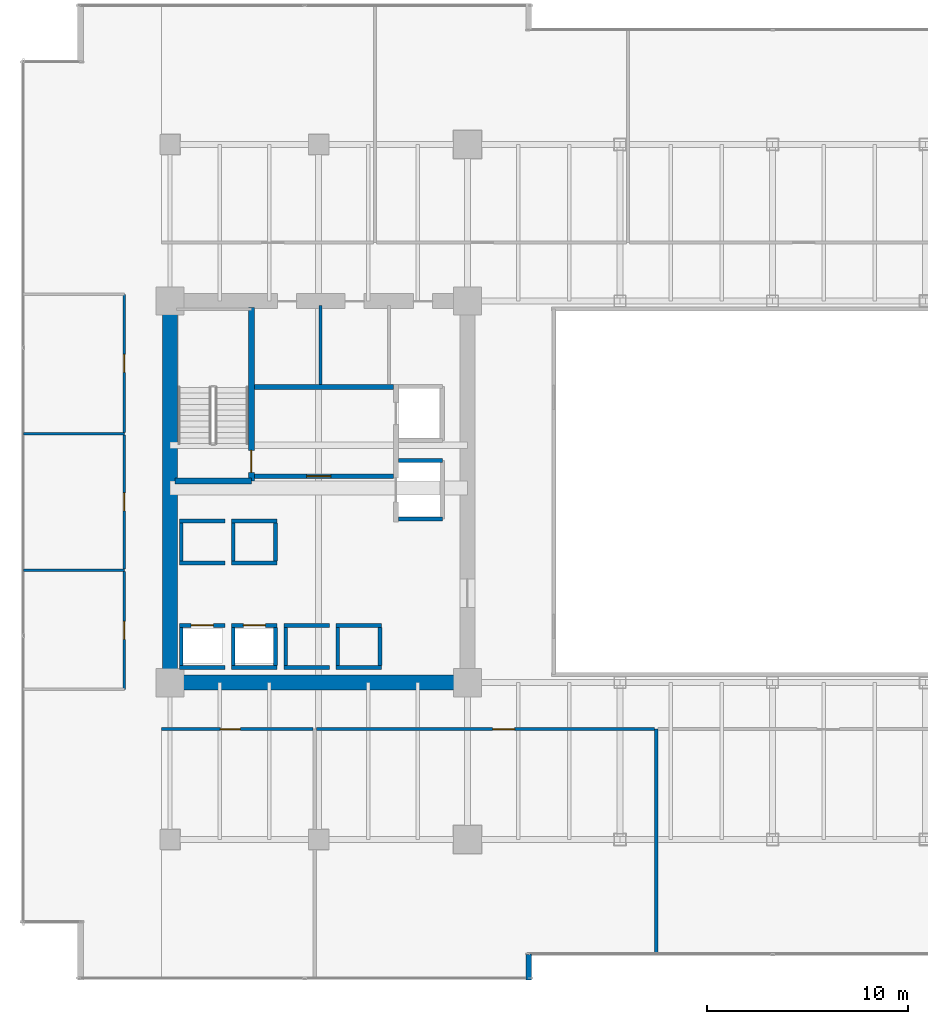
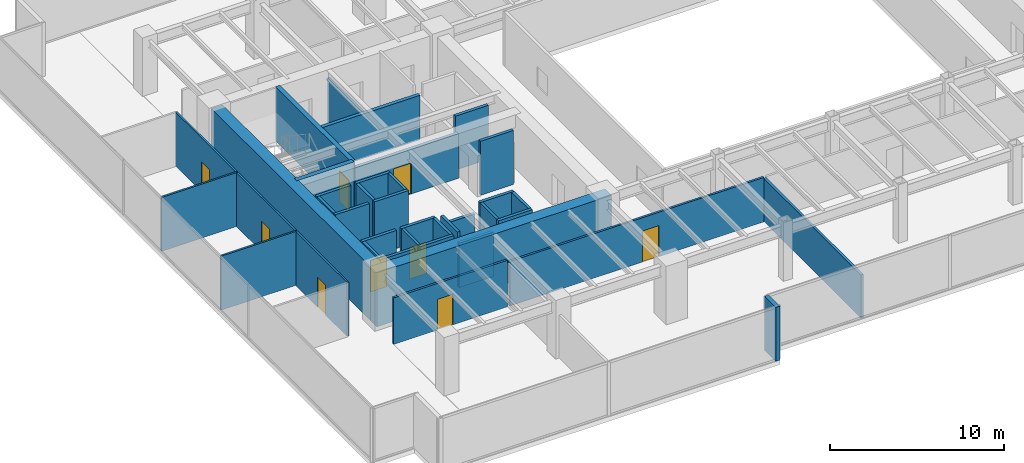
# One storey, part 29 of 37: 39 walls, 9 doors, 9 openings.
"""IFC4 building model written with IfcOpenShell, lengths in metres."""

from ifc_helpers import new_model, si_unit, direction, frame, frame_2d, origin, place, context, subcontext, project, spatial, rectangle, extrude, source, transform, mapped, material, layer, layer_set, type_object, type_shapes, element, fill, save


model = new_model("IFC4")

# Units and contexts
model_context = context("Model", 3, precision=1e-05, world=origin(), true_north=direction((0.0, 1.0)))
body_context = subcontext(model_context, "Body", "Model", "MODEL_VIEW")
ifc_project = project(units=[si_unit("LENGTHUNIT", "METRE"), si_unit("AREAUNIT", "SQUARE_METRE"), si_unit("VOLUMEUNIT", "CUBIC_METRE"), si_unit("PLANEANGLEUNIT", "RADIAN"), si_unit("MASSUNIT", "GRAM", prefix="KILO")], contexts=[model_context])

# Site, building, storey
site_placement = place(None, origin())
site = spatial("IfcSite", under=ifc_project, at=site_placement, CompositionType="ELEMENT")
building_placement = place(site_placement, origin())
building = spatial("IfcBuilding", under=site, at=building_placement, Name="Haelvirn Gate Laboratories", CompositionType="ELEMENT")
storey_placement = place(building_placement, frame((0.0, 0.0, 78.5)))
storey = spatial("IfcBuildingStorey", under=building, at=storey_placement, Name="L19", CompositionType="ELEMENT", Elevation=78.5)

# Walls
ifc_material_1 = material(Name="Thermally-broken bronze aluminium rainscreen & mineral wool", Category="aluminium")
ifc_layer_1 = layer(ifc_material_1, 0.280029296875, Name="EW-TERR-280")
ifc_layer_set_1 = layer_set([ifc_layer_1], Name="Thermally-broken bronze aluminium rainscreen & mineral wool")
wall_type_1 = type_object("IfcWallType", Name="EW-TERR-280", PredefinedType="STANDARD", material=ifc_layer_set_1)
wall_1_placement = place(storey_placement, frame((25.260009765625, 0.0, 0.0), z_axis=(0.0, 0.0, 1.0), x_axis=(0.0, 1.0, 0.0)))
element("IfcWall", 1, at=wall_1_placement, inside=storey, type_object=wall_type_1, Name="L19 Atrium Recess Bronze Return Wall 01", PredefinedType="STANDARD", context=body_context, shape_type="SweptSolid", body=[
    extrude(rectangle(XDim=1.2880859375, YDim=0.280029296875, at=frame_2d((0.64404296875, 0.0))), origin(), (0.0, 0.0, 1.0), 3.780029296875),
])
ifc_material_2 = material(Name="Double-layer acoustic gypsum laboratory partition", Category="gypsum")
ifc_layer_2 = layer(ifc_material_2, 0.159912109375, Name="IW-ACOUST-160")
ifc_layer_set_2 = layer_set([ifc_layer_2], Name="Double-layer acoustic gypsum laboratory partition")
wall_type_2 = type_object("IfcWallType", Name="IW-ACOUST-160", PredefinedType="PARTITIONING", material=ifc_layer_set_2)
wall_2_placement = place(storey_placement, frame((31.60009765625, 1.31005859375, 0.0), z_axis=(0.0, 0.0, 1.0), x_axis=(0.0, 1.0, 0.0)))
element("IfcWall", 2, at=wall_2_placement, inside=storey, type_object=wall_type_2, Name="L19 Interior Wall IW-L19-SDIV-02", PredefinedType="PARTITIONING", context=body_context, shape_type="SweptSolid", body=[
    extrude(rectangle(XDim=11.179931640625, YDim=0.159912109375, at=frame_2d((5.58984375, 0.0))), origin(), (0.0, 0.0, 1.0), 3.014892578125),
])

# Wall, opening, door
ifc_material_3 = material(Name="Lightweight acoustic gypsum board partition", Category="gypsum")
ifc_layer_3 = layer(ifc_material_3, 0.1201171875, Name="IW-PART-120")
ifc_layer_set_3 = layer_set([ifc_layer_3], Name="Lightweight acoustic gypsum board partition")
wall_type_3 = type_object("IfcWallType", Name="IW-PART-120", PredefinedType="PARTITIONING", material=ifc_layer_set_3)
wall_3_placement = place(storey_placement, frame((5.1298828125, 14.465087890625, 0.0), z_axis=(0.0, 0.0, 1.0), x_axis=(0.0, 1.0, 0.0)))
wall_3 = element("IfcWall", 3, at=wall_3_placement, inside=storey, type_object=wall_type_3, Name="L19 Interior Wall IW-L19-WPASS-01", PredefinedType="PARTITIONING", context=body_context, shape_type="SweptSolid", body=[
    extrude(rectangle(XDim=5.875, YDim=0.1201171875, at=frame_2d((2.9375, 0.0))), origin(), (0.0, 0.0, 1.0), 3.780029296875),
])
opening_1_placement = place(wall_3_placement, frame((2.487548828125, 0.0, 0.0)))
opening_1 = element("IfcOpeningElement", 4, at=opening_1_placement, cuts=wall_3, Name="Opening D4", PredefinedType="OPENING", context=body_context, shape_type="SweptSolid", body=[
    extrude(rectangle(XDim=0.89990234375, YDim=2.10009765625, at=frame_2d((0.449951171875, 1.050048828125))), frame((0.0, 0.070068359375, 0.0), z_axis=(0.0, -1.0, 0.0), x_axis=(1.0, 0.0, 0.0)), (0.0, 0.0, 1.0), 0.14013671875),
])
ifc_material_4 = material(Name="Glazed aluminium-framed write-up door", Category="aluminium")
door_type_1 = type_object("IfcDoorType", Name="DR-OFF-900", OperationType="NOTDEFINED", PredefinedType="DOOR", material=ifc_material_4)
shared_shape_1 = source(origin(), body_context, "Body", "SweptSolid", [
    extrude(rectangle(XDim=0.89990234375, YDim=2.10009765625, at=frame_2d((0.449951171875, 1.050048828125))), frame((0.0, 0.02490234375, 0.0), z_axis=(0.0, -1.0, 0.0), x_axis=(1.0, 0.0, 0.0)), (0.0, 0.0, 1.0), 0.050048828125),
])
type_shapes(door_type_1, [shared_shape_1])
door_1_placement = place(opening_1_placement, origin())
door_1 = element("IfcDoor", 5, at=door_1_placement, inside=storey, type_object=door_type_1, Name="L19 Genomics Assay Laboratory Door W1", OperationType="SINGLE_SWING_LEFT", OverallHeight=2.10009765625, OverallWidth=0.89990234375, PredefinedType="DOOR", context=body_context, shape_type="MappedRepresentation", body=[
    mapped(shared_shape_1, transform((0.0, 0.0, 0.0), scale=1.0)),
])
fill(opening_1, door_1)

# Wall
wall_4_placement = place(storey_placement, frame((0.110107421875, 20.39990234375, 0.0), z_axis=(0.0, 0.0, 1.0), x_axis=(1.0, 0.0, 0.0)))
element("IfcWall", 6, at=wall_4_placement, inside=storey, type_object=wall_type_3, Name="L19 Interior Wall IW-L19-WDIV-01", PredefinedType="PARTITIONING", context=body_context, shape_type="SweptSolid", body=[
    extrude(rectangle(XDim=5.019775390625, YDim=0.1201171875, at=frame_2d((2.509765625, 0.0))), origin(), (0.0, 0.0, 1.0), 3.780029296875),
])

# Wall, opening, door
wall_5_placement = place(storey_placement, frame((5.1298828125, 20.4599609375, 0.0), z_axis=(0.0, 0.0, 1.0), x_axis=(0.0, 1.0, 0.0)))
wall_5 = element("IfcWall", 7, at=wall_5_placement, inside=storey, type_object=wall_type_3, Name="L19 Interior Wall IW-L19-WPASS-02", PredefinedType="PARTITIONING", context=body_context, shape_type="SweptSolid", body=[
    extrude(rectangle(XDim=6.679931640625, YDim=0.1201171875, at=frame_2d((3.33984375, 0.0))), origin(), (0.0, 0.0, 1.0), 3.780029296875),
])
opening_2_placement = place(wall_5_placement, frame((2.889892578125, 0.0, 0.0)))
opening_2 = element("IfcOpeningElement", 8, at=opening_2_placement, cuts=wall_5, Name="Opening D4", PredefinedType="OPENING", context=body_context, shape_type="SweptSolid", body=[
    extrude(rectangle(XDim=0.89990234375, YDim=2.10009765625, at=frame_2d((0.449951171875, 1.050048828125))), frame((0.0, 0.070068359375, 0.0), z_axis=(0.0, -1.0, 0.0), x_axis=(1.0, 0.0, 0.0)), (0.0, 0.0, 1.0), 0.14013671875),
])
door_2_placement = place(opening_2_placement, origin())
door_2 = element("IfcDoor", 9, at=door_2_placement, inside=storey, type_object=door_type_1, Name="L19 Proteomics Mass-Spec Laboratory Door W2", OperationType="SINGLE_SWING_RIGHT", OverallHeight=2.10009765625, OverallWidth=0.89990234375, PredefinedType="DOOR", context=body_context, shape_type="MappedRepresentation", body=[
    mapped(shared_shape_1, transform((0.0, 0.0, 0.0), scale=1.0)),
])
fill(opening_2, door_2)

# Wall
wall_6_placement = place(storey_placement, frame((0.110107421875, 27.199951171875, 0.0), z_axis=(0.0, 0.0, 1.0), x_axis=(1.0, 0.0, 0.0)))
element("IfcWall", 10, at=wall_6_placement, inside=storey, type_object=wall_type_3, Name="L19 Interior Wall IW-L19-WDIV-02", PredefinedType="PARTITIONING", context=body_context, shape_type="SweptSolid", body=[
    extrude(rectangle(XDim=5.019775390625, YDim=0.1201171875, at=frame_2d((2.509765625, 0.0))), origin(), (0.0, 0.0, 1.0), 3.780029296875),
])

# Wall, opening, door
wall_7_placement = place(storey_placement, frame((5.1298828125, 27.260009765625, 0.0), z_axis=(0.0, 0.0, 1.0), x_axis=(0.0, 1.0, 0.0)))
wall_7 = element("IfcWall", 11, at=wall_7_placement, inside=storey, type_object=wall_type_3, Name="L19 Interior Wall IW-L19-WPASS-03", PredefinedType="PARTITIONING", context=body_context, shape_type="SweptSolid", body=[
    extrude(rectangle(XDim=6.875, YDim=0.1201171875, at=frame_2d((3.4375, 0.0))), origin(), (0.0, 0.0, 1.0), 3.780029296875),
])
opening_3_placement = place(wall_7_placement, frame((2.987548828125, 0.0, 0.0)))
opening_3 = element("IfcOpeningElement", 12, at=opening_3_placement, cuts=wall_7, Name="Opening D4", PredefinedType="OPENING", context=body_context, shape_type="SweptSolid", body=[
    extrude(rectangle(XDim=0.89990234375, YDim=2.10009765625, at=frame_2d((0.449951171875, 1.050048828125))), frame((0.0, 0.070068359375, 0.0), z_axis=(0.0, -1.0, 0.0), x_axis=(1.0, 0.0, 0.0)), (0.0, 0.0, 1.0), 0.14013671875),
])
door_3_placement = place(opening_3_placement, origin())
door_3 = element("IfcDoor", 13, at=door_3_placement, inside=storey, type_object=door_type_1, Name="L19 Chemical Synthesis Laboratory Door W3", OperationType="SINGLE_SWING_LEFT", OverallHeight=2.10009765625, OverallWidth=0.89990234375, PredefinedType="DOOR", context=body_context, shape_type="MappedRepresentation", body=[
    mapped(shared_shape_1, transform((0.0, 0.0, 0.0), scale=1.0)),
])
fill(opening_3, door_3)

ifc_material_5 = material(Name="Acoustic mineral-wool gypsum board partition", Category="gypsum")
ifc_layer_4 = layer(ifc_material_5, 0.139892578125, Name="IW-PART-140")
ifc_layer_set_4 = layer_set([ifc_layer_4], Name="Acoustic mineral-wool gypsum board partition")
wall_type_4 = type_object("IfcWallType", Name="IW-PART-140", PredefinedType="PARTITIONING", material=ifc_layer_set_4)
wall_8_placement = place(storey_placement, frame((6.97998046875, 12.489990234375, 0.0), z_axis=(0.0, 0.0, 1.0), x_axis=(1.0, 0.0, 0.0)))
wall_8 = element("IfcWall", 14, at=wall_8_placement, inside=storey, type_object=wall_type_4, Name="L19 Interior Wall IW-L19-SCORR-01", PredefinedType="PARTITIONING", context=body_context, shape_type="SweptSolid", body=[
    extrude(rectangle(XDim=7.5400390625, YDim=0.139892578125, at=frame_2d((3.77001953125, 0.0))), origin(), (0.0, 0.0, 1.0), 3.264892578125),
])
opening_4_placement = place(wall_8_placement, frame((2.919677734375, 0.0, 0.0)))
opening_4 = element("IfcOpeningElement", 15, at=opening_4_placement, cuts=wall_8, Name="Opening D2", PredefinedType="OPENING", context=body_context, shape_type="SweptSolid", body=[
    extrude(rectangle(XDim=1.0, YDim=2.14990234375, at=frame_2d((0.5, 1.074951171875))), frame((0.0, 0.080078125, 0.0), z_axis=(0.0, -1.0, 0.0), x_axis=(1.0, 0.0, 0.0)), (0.0, 0.0, 1.0), 0.159912109375),
])
ifc_material_6 = material(Name="Acoustic solid-core timber suite door", Category="wood")
door_type_2 = type_object("IfcDoorType", Name="DR-INT-1000", OperationType="NOTDEFINED", PredefinedType="DOOR", material=ifc_material_6)
shared_shape_2 = source(origin(), body_context, "Body", "SweptSolid", [
    extrude(rectangle(XDim=1.0, YDim=2.14990234375, at=frame_2d((0.5, 1.074951171875))), frame((0.0, 0.02490234375, 0.0), z_axis=(0.0, -1.0, 0.0), x_axis=(1.0, 0.0, 0.0)), (0.0, 0.0, 1.0), 0.050048828125),
])
type_shapes(door_type_2, [shared_shape_2])
door_4_placement = place(opening_4_placement, origin())
door_4 = element("IfcDoor", 16, at=door_4_placement, inside=storey, type_object=door_type_2, Name="L19 Peer-Review Seminar Room Door S1", OperationType="SINGLE_SWING_RIGHT", OverallHeight=2.14990234375, OverallWidth=1.0, PredefinedType="DOOR", context=body_context, shape_type="MappedRepresentation", body=[
    mapped(shared_shape_2, transform((0.0, 0.0, 0.0), scale=1.0)),
])
fill(opening_4, door_4)

wall_9_placement = place(storey_placement, frame((14.679931640625, 12.489990234375, 0.0), z_axis=(0.0, 0.0, 1.0), x_axis=(1.0, 0.0, 0.0)))
wall_9 = element("IfcWall", 17, at=wall_9_placement, inside=storey, type_object=wall_type_4, Name="L19 Interior Wall IW-L19-SCORR-02", PredefinedType="PARTITIONING", context=body_context, shape_type="SweptSolid", body=[
    extrude(rectangle(XDim=16.840087890625, YDim=0.139892578125, at=frame_2d((8.419921875, 0.0))), origin(), (0.0, 0.0, 1.0), 3.114990234375),
])
opening_5_placement = place(wall_9_placement, frame((8.7724609375, 0.0, 0.0)))
opening_5 = element("IfcOpeningElement", 18, at=opening_5_placement, cuts=wall_9, Name="Opening D1", PredefinedType="OPENING", context=body_context, shape_type="SweptSolid", body=[
    extrude(rectangle(XDim=1.10009765625, YDim=2.179931640625, at=frame_2d((0.550048828125, 1.08984375))), frame((0.0, 0.080078125, 0.0), z_axis=(0.0, -1.0, 0.0), x_axis=(1.0, 0.0, 0.0)), (0.0, 0.0, 1.0), 0.159912109375),
])
ifc_material_7 = material(Name="Vision-panel acoustic solid-core timber lab door", Category="wood")
door_type_3 = type_object("IfcDoorType", Name="DR-LAB-1100", OperationType="NOTDEFINED", PredefinedType="DOOR", material=ifc_material_7)
shared_shape_3 = source(origin(), body_context, "Body", "SweptSolid", [
    extrude(rectangle(XDim=1.10009765625, YDim=2.179931640625, at=frame_2d((0.550048828125, 1.08984375))), frame((0.0, 0.02490234375, 0.0), z_axis=(0.0, -1.0, 0.0), x_axis=(1.0, 0.0, 0.0)), (0.0, 0.0, 1.0), 0.050048828125),
])
type_shapes(door_type_3, [shared_shape_3])
door_5_placement = place(opening_5_placement, origin())
door_5 = element("IfcDoor", 19, at=door_5_placement, inside=storey, type_object=door_type_3, Name="L19 Colloquium Conference Room Door S2", OperationType="SINGLE_SWING_LEFT", OverallHeight=2.179931640625, OverallWidth=1.10009765625, PredefinedType="DOOR", context=body_context, shape_type="MappedRepresentation", body=[
    mapped(shared_shape_3, transform((0.0, 0.0, 0.0), scale=1.0)),
])
fill(opening_5, door_5)

# Walls
ifc_material_8 = material(Name="Cement-board restroom plumbing chase wall", Category="gypsum")
ifc_layer_5 = layer(ifc_material_8, 0.155029296875, Name="IW-PLUMB-160")
ifc_layer_set_5 = layer_set([ifc_layer_5], Name="Cement-board restroom plumbing chase wall")
wall_type_5 = type_object("IfcWallType", Name="IW-PLUMB-160", PredefinedType="PLUMBINGWALL", material=ifc_layer_set_5)
wall_10_placement = place(storey_placement, frame((14.889892578125, 29.64990234375, 0.0), z_axis=(0.0, 0.0, 1.0), x_axis=(0.0, 1.0, 0.0)))
element("IfcWall", 20, at=wall_10_placement, inside=storey, type_object=wall_type_5, Name="L19 Interior Wall IW-L19-W-CDIV-1", PredefinedType="PLUMBINGWALL", context=body_context, shape_type="SweptSolid", body=[
    extrude(rectangle(XDim=3.93017578125, YDim=0.155029296875, at=frame_2d((1.965087890625, 0.0))), origin(), (0.0, 0.0, 1.0), 3.114990234375),
])
ifc_material_9 = material(Name="Concrete C40/50", Category="concrete")
ifc_layer_6 = layer(ifc_material_9, 0.179931640625, Name="IW-SHAFT-180")
ifc_layer_set_6 = layer_set([ifc_layer_6], Name="Concrete C40/50")
wall_type_6 = type_object("IfcWallType", Name="IW-SHAFT-180", PredefinedType="SOLIDWALL", material=ifc_layer_set_6)
for number, where, z_axis, x_axis, name in (
    (21, (7.949951171875, 15.64990234375, 0.0), (0.0, 0.0, 1.0), (0.0, 1.0, 0.0), "L19 Interior Wall IW-L19-PL1-SD"),
    (22, (10.550048828125, 15.64990234375, 0.0), (0.0, 0.0, 1.0), (0.0, 1.0, 0.0), "L19 Interior Wall IW-L19-PL2-SD"),
    (23, (12.64990234375, 15.64990234375, 0.0), (0.0, 0.0, 1.0), (0.0, 1.0, 0.0), "L19 Interior Wall IW-L19-PL2-SDE"),
    (24, (13.14990234375, 15.64990234375, 0.0), (0.0, 0.0, 1.0), (0.0, 1.0, 0.0), "L19 Interior Wall IW-L19-PL5-SD"),
    (25, (15.75, 15.64990234375, 0.0), (0.0, 0.0, 1.0), (0.0, 1.0, 0.0), "L19 Interior Wall IW-L19-PL6-SD"),
    (26, (17.85009765625, 15.64990234375, 0.0), (0.0, 0.0, 1.0), (0.0, 1.0, 0.0), "L19 Interior Wall IW-L19-PL6-SDE"),
):
    element("IfcWall", number, at=place(storey_placement, frame(where, z_axis=z_axis, x_axis=x_axis)), inside=storey, type_object=wall_type_6, Name=name, PredefinedType="SOLIDWALL", context=body_context, shape_type="SweptSolid", body=[
        extrude(rectangle(XDim=1.900146484375, YDim=0.179931640625, at=frame_2d((0.9501953125, 0.0))), origin(), (0.0, 0.0, 1.0), 3.780029296875),
    ])
for number, where, z_axis, x_axis, name in (
    (27, (7.949951171875, 20.85009765625, 0.0), (0.0, 0.0, 1.0), (0.0, 1.0, 0.0), "L19 Interior Wall IW-L19-PL9-SD"),
    (28, (10.550048828125, 20.85009765625, 0.0), (0.0, 0.0, 1.0), (0.0, 1.0, 0.0), "L19 Interior Wall IW-L19-PL10-SD"),
    (29, (12.64990234375, 20.85009765625, 0.0), (0.0, 0.0, 1.0), (0.0, 1.0, 0.0), "L19 Interior Wall IW-L19-PL10-SDE"),
):
    element("IfcWall", number, at=place(storey_placement, frame(where, z_axis=z_axis, x_axis=x_axis)), inside=storey, type_object=wall_type_6, Name=name, PredefinedType="SOLIDWALL", context=body_context, shape_type="SweptSolid", body=[
        extrude(rectangle(XDim=1.89990234375, YDim=0.179931640625, at=frame_2d((0.949951171875, 0.0))), origin(), (0.0, 0.0, 1.0), 3.780029296875),
    ])

# Wall, opening, door
ifc_layer_7 = layer(ifc_material_9, 0.199951171875, Name="IW-SHAFT-200")
ifc_layer_set_7 = layer_set([ifc_layer_7], Name="Concrete C40/50")
wall_type_7 = type_object("IfcWallType", Name="IW-SHAFT-200", PredefinedType="SOLIDWALL", material=ifc_layer_set_7)
wall_11_placement = place(storey_placement, frame((7.8701171875, 17.64990234375, 0.0), z_axis=(0.0, 0.0, 1.0), x_axis=(1.0, 0.0, 0.0)))
wall_11 = element("IfcWall", 30, at=wall_11_placement, inside=storey, type_object=wall_type_7, Name="L19 Interior Wall IW-L19-PL1-FR", PredefinedType="SOLIDWALL", context=body_context, shape_type="SweptSolid", body=[
    extrude(rectangle(XDim=2.259765625, YDim=0.199951171875, at=frame_2d((1.1298828125, 0.0))), origin(), (0.0, 0.0, 1.0), 3.780029296875),
])
opening_6_placement = place(wall_11_placement, frame((0.580078125, 0.0, 0.0)))
opening_6 = element("IfcOpeningElement", 31, at=opening_6_placement, cuts=wall_11, Name="Opening LD2", PredefinedType="OPENING", context=body_context, shape_type="SweptSolid", body=[
    extrude(rectangle(XDim=1.10009765625, YDim=2.219970703125, at=frame_2d((0.550048828125, 1.10986328125))), frame((0.0, 0.10986328125, 0.0), z_axis=(0.0, -1.0, 0.0), x_axis=(1.0, 0.0, 0.0)), (0.0, 0.0, 1.0), 0.219970703125),
])
ifc_material_10 = material(Name="Bronze stainless 316L sliding lift landing door")
door_type_4 = type_object("IfcDoorType", Name="DR-LD-1100", OperationType="NOTDEFINED", PredefinedType="USERDEFINED", material=ifc_material_10)
shared_shape_4 = source(origin(), body_context, "Body", "SweptSolid", [
    extrude(rectangle(XDim=1.10009765625, YDim=2.219970703125, at=frame_2d((0.550048828125, 1.10986328125))), frame((0.0, 0.02490234375, 0.0), z_axis=(0.0, -1.0, 0.0), x_axis=(1.0, 0.0, 0.0)), (0.0, 0.0, 1.0), 0.050048828125),
])
type_shapes(door_type_4, [shared_shape_4])
door_6_placement = place(opening_6_placement, origin())
door_6 = element("IfcDoor", 32, at=door_6_placement, inside=storey, type_object=door_type_4, Name="L19 Passenger Lift PL1 Landing Door", ObjectType="LANDING_DOOR", OperationType="SLIDING_TO_LEFT", OverallHeight=2.219970703125, OverallWidth=1.10009765625, PredefinedType="USERDEFINED", context=body_context, shape_type="MappedRepresentation", body=[
    mapped(shared_shape_4, transform((0.0, 0.0, 0.0), scale=1.0)),
])
fill(opening_6, door_6)

# Wall
wall_12_placement = place(storey_placement, frame((7.8701171875, 15.550048828125, 0.0), z_axis=(0.0, 0.0, 1.0), x_axis=(1.0, 0.0, 0.0)))
element("IfcWall", 33, at=wall_12_placement, inside=storey, type_object=wall_type_7, Name="L19 Interior Wall IW-L19-PL1-BK", PredefinedType="SOLIDWALL", context=body_context, shape_type="SweptSolid", body=[
    extrude(rectangle(XDim=2.259765625, YDim=0.199951171875, at=frame_2d((1.1298828125, 0.0))), origin(), (0.0, 0.0, 1.0), 3.780029296875),
])

# Wall, opening, door
wall_13_placement = place(storey_placement, frame((10.469970703125, 17.64990234375, 0.0), z_axis=(0.0, 0.0, 1.0), x_axis=(1.0, 0.0, 0.0)))
wall_13 = element("IfcWall", 34, at=wall_13_placement, inside=storey, type_object=wall_type_7, Name="L19 Interior Wall IW-L19-PL2-FR", PredefinedType="SOLIDWALL", context=body_context, shape_type="SweptSolid", body=[
    extrude(rectangle(XDim=2.260009765625, YDim=0.199951171875, at=frame_2d((1.1298828125, 0.0))), origin(), (0.0, 0.0, 1.0), 3.780029296875),
])
opening_7_placement = place(wall_13_placement, frame((0.580078125, 0.0, 0.0)))
opening_7 = element("IfcOpeningElement", 35, at=opening_7_placement, cuts=wall_13, Name="Opening LD2", PredefinedType="OPENING", context=body_context, shape_type="SweptSolid", body=[
    extrude(rectangle(XDim=1.10009765625, YDim=2.219970703125, at=frame_2d((0.550048828125, 1.10986328125))), frame((0.0, 0.10986328125, 0.0), z_axis=(0.0, -1.0, 0.0), x_axis=(1.0, 0.0, 0.0)), (0.0, 0.0, 1.0), 0.219970703125),
])
door_7_placement = place(opening_7_placement, origin())
door_7 = element("IfcDoor", 36, at=door_7_placement, inside=storey, type_object=door_type_4, Name="L19 Passenger Lift PL2 Landing Door", ObjectType="LANDING_DOOR", OperationType="SLIDING_TO_RIGHT", OverallHeight=2.219970703125, OverallWidth=1.10009765625, PredefinedType="USERDEFINED", context=body_context, shape_type="MappedRepresentation", body=[
    mapped(shared_shape_4, transform((0.0, 0.0, 0.0), scale=1.0)),
])
fill(opening_7, door_7)

# Walls
wall_14_placement = place(storey_placement, frame((10.469970703125, 15.550048828125, 0.0), z_axis=(0.0, 0.0, 1.0), x_axis=(1.0, 0.0, 0.0)))
element("IfcWall", 37, at=wall_14_placement, inside=storey, type_object=wall_type_7, Name="L19 Interior Wall IW-L19-PL2-BK", PredefinedType="SOLIDWALL", context=body_context, shape_type="SweptSolid", body=[
    extrude(rectangle(XDim=2.260009765625, YDim=0.199951171875, at=frame_2d((1.1298828125, 0.0))), origin(), (0.0, 0.0, 1.0), 3.780029296875),
])
for number, where, z_axis, x_axis, name in (
    (38, (13.070068359375, 17.64990234375, 0.0), (0.0, 0.0, 1.0), (1.0, 0.0, 0.0), "L19 Interior Wall IW-L19-PL5-FR"),
    (39, (13.070068359375, 15.550048828125, 0.0), (0.0, 0.0, 1.0), (1.0, 0.0, 0.0), "L19 Interior Wall IW-L19-PL5-BK"),
):
    element("IfcWall", number, at=place(storey_placement, frame(where, z_axis=z_axis, x_axis=x_axis)), inside=storey, type_object=wall_type_7, Name=name, PredefinedType="SOLIDWALL", context=body_context, shape_type="SweptSolid", body=[
        extrude(rectangle(XDim=2.260009765625, YDim=0.199951171875, at=frame_2d((1.1298828125, 0.0))), origin(), (0.0, 0.0, 1.0), 3.114990234375),
    ])
for number, where, z_axis, x_axis, name in (
    (40, (15.669921875, 17.64990234375, 0.0), (0.0, 0.0, 1.0), (1.0, 0.0, 0.0), "L19 Interior Wall IW-L19-PL6-FR"),
    (41, (15.669921875, 15.550048828125, 0.0), (0.0, 0.0, 1.0), (1.0, 0.0, 0.0), "L19 Interior Wall IW-L19-PL6-BK"),
):
    element("IfcWall", number, at=place(storey_placement, frame(where, z_axis=z_axis, x_axis=x_axis)), inside=storey, type_object=wall_type_7, Name=name, PredefinedType="SOLIDWALL", context=body_context, shape_type="SweptSolid", body=[
        extrude(rectangle(XDim=2.260009765625, YDim=0.199951171875, at=frame_2d((1.1298828125, 0.0))), origin(), (0.0, 0.0, 1.0), 3.780029296875),
    ])
for number, where, z_axis, x_axis, name in (
    (42, (7.8701171875, 20.75, 0.0), (0.0, 0.0, 1.0), (1.0, 0.0, 0.0), "L19 Interior Wall IW-L19-PL9-FR"),
    (43, (7.8701171875, 22.85009765625, 0.0), (0.0, 0.0, 1.0), (1.0, 0.0, 0.0), "L19 Interior Wall IW-L19-PL9-BK"),
):
    element("IfcWall", number, at=place(storey_placement, frame(where, z_axis=z_axis, x_axis=x_axis)), inside=storey, type_object=wall_type_7, Name=name, PredefinedType="SOLIDWALL", context=body_context, shape_type="SweptSolid", body=[
        extrude(rectangle(XDim=2.259765625, YDim=0.199951171875, at=frame_2d((1.1298828125, 0.0))), origin(), (0.0, 0.0, 1.0), 3.780029296875),
    ])
for number, where, z_axis, x_axis, name in (
    (44, (10.469970703125, 20.75, 0.0), (0.0, 0.0, 1.0), (1.0, 0.0, 0.0), "L19 Interior Wall IW-L19-PL10-FR"),
    (45, (10.469970703125, 22.85009765625, 0.0), (0.0, 0.0, 1.0), (1.0, 0.0, 0.0), "L19 Interior Wall IW-L19-PL10-BK"),
):
    element("IfcWall", number, at=place(storey_placement, frame(where, z_axis=z_axis, x_axis=x_axis)), inside=storey, type_object=wall_type_7, Name=name, PredefinedType="SOLIDWALL", context=body_context, shape_type="SweptSolid", body=[
        extrude(rectangle(XDim=2.260009765625, YDim=0.199951171875, at=frame_2d((1.1298828125, 0.0))), origin(), (0.0, 0.0, 1.0), 3.780029296875),
    ])
for number, where, z_axis, x_axis, name in (
    (46, (18.760009765625, 25.85009765625, 0.0), (0.0, 0.0, 1.0), (1.0, 0.0, 0.0), "L19 Interior Wall IW-L19-SL1-N"),
    (47, (18.760009765625, 22.949951171875, 0.0), (0.0, 0.0, 1.0), (1.0, 0.0, 0.0), "L19 Interior Wall IW-L19-SL1-S"),
):
    element("IfcWall", number, at=place(storey_placement, frame(where, z_axis=z_axis, x_axis=x_axis)), inside=storey, type_object=wall_type_7, Name=name, PredefinedType="SOLIDWALL", context=body_context, shape_type="SweptSolid", body=[
        extrude(rectangle(XDim=2.18994140625, YDim=0.199951171875, at=frame_2d((1.094970703125, 0.0))), origin(), (0.0, 0.0, 1.0), 3.780029296875),
    ])

# Wall, opening, door
ifc_layer_8 = layer(ifc_material_9, 0.239990234375, Name="IW-SHAFT-240")
ifc_layer_set_8 = layer_set([ifc_layer_8], Name="Concrete C40/50")
wall_type_8 = type_object("IfcWallType", Name="IW-SHAFT-240", PredefinedType="SOLIDWALL", material=ifc_layer_set_8)
wall_15_placement = place(storey_placement, frame((11.60009765625, 25.080078125, 0.0), z_axis=(0.0, 0.0, 1.0), x_axis=(1.0, 0.0, 0.0)))
wall_15 = element("IfcWall", 48, at=wall_15_placement, inside=storey, type_object=wall_type_8, Name="L19 Interior Wall IW-L19-W-FF-S", PredefinedType="SOLIDWALL", context=body_context, shape_type="SweptSolid", body=[
    extrude(rectangle(XDim=6.919921875, YDim=0.239990234375, at=frame_2d((3.4599609375, 0.0))), origin(), (0.0, 0.0, 1.0), 3.114990234375),
])
opening_8_placement = place(wall_15_placement, frame((2.60009765625, 0.0, 0.0)))
opening_8 = element("IfcOpeningElement", 49, at=opening_8_placement, cuts=wall_15, Name="Opening FD2", PredefinedType="OPENING", context=body_context, shape_type="SweptSolid", body=[
    extrude(rectangle(XDim=1.199951171875, YDim=2.159912109375, at=frame_2d((0.60009765625, 1.080078125))), frame((0.0, 0.1298828125, 0.0), z_axis=(0.0, -1.0, 0.0), x_axis=(1.0, 0.0, 0.0)), (0.0, 0.0, 1.0), 0.260009765625),
])
ifc_material_11 = material(Name="Fire-rated steel SM355 compartment door", Category="steel")
door_type_5 = type_object("IfcDoorType", Name="DR-FD-1200", OperationType="NOTDEFINED", PredefinedType="DOOR", material=ifc_material_11)
shared_shape_5 = source(origin(), body_context, "Body", "SweptSolid", [
    extrude(rectangle(XDim=1.199951171875, YDim=2.159912109375, at=frame_2d((0.60009765625, 1.080078125))), frame((0.0, 0.02490234375, 0.0), z_axis=(0.0, -1.0, 0.0), x_axis=(1.0, 0.0, 0.0)), (0.0, 0.0, 1.0), 0.050048828125),
])
type_shapes(door_type_5, [shared_shape_5])
door_8_placement = place(opening_8_placement, origin())
door_8 = element("IfcDoor", 50, at=door_8_placement, inside=storey, type_object=door_type_5, Name="L19 West Firefighting Lobby Door", OperationType="SINGLE_SWING_RIGHT", OverallHeight=2.159912109375, OverallWidth=1.199951171875, PredefinedType="DOOR", context=body_context, shape_type="MappedRepresentation", body=[
    mapped(shared_shape_5, transform((0.0, 0.0, 0.0), scale=1.0)),
])
fill(opening_8, door_8)

# Walls
wall_16_placement = place(storey_placement, frame((11.60009765625, 29.52001953125, 0.0), z_axis=(0.0, 0.0, 1.0), x_axis=(1.0, 0.0, 0.0)))
element("IfcWall", 51, at=wall_16_placement, inside=storey, type_object=wall_type_8, Name="L19 Interior Wall IW-L19-W-FF-N", PredefinedType="SOLIDWALL", context=body_context, shape_type="SweptSolid", body=[
    extrude(rectangle(XDim=6.919921875, YDim=0.239990234375, at=frame_2d((3.4599609375, 0.0))), origin(), (0.0, 0.0, 1.0), 3.114990234375),
])
ifc_material_12 = material(Name="Concrete C70/85", Category="concrete")
ifc_layer_9 = layer(ifc_material_12, 0.75, Name="SW-CORE-750")
ifc_layer_set_9 = layer_set([ifc_layer_9], Name="Concrete C70/85")
wall_type_9 = type_object("IfcWallType", Name="SW-CORE-750", PredefinedType="SHEAR", material=ifc_layer_set_9)
wall_17_placement = place(storey_placement, frame((7.02490234375, 14.800048828125, 0.0), z_axis=(0.0, 0.0, 1.0), x_axis=(1.0, 0.0, 0.0)))
element("IfcWall", 52, at=wall_17_placement, inside=storey, type_object=wall_type_9, Name="L19 W Core Shear Wall S", PredefinedType="SHEAR", context=body_context, shape_type="SweptSolid", body=[
    extrude(rectangle(XDim=15.550048828125, YDim=0.75, at=frame_2d((7.77490234375, 0.0))), origin(), (0.0, 0.0, 1.0), 3.780029296875),
])
wall_18_placement = place(storey_placement, frame((7.39990234375, 15.175048828125, 0.0), z_axis=(0.0, 0.0, 1.0), x_axis=(0.0, 1.0, 0.0)))
element("IfcWall", 53, at=wall_18_placement, inside=storey, type_object=wall_type_9, Name="L19 W Core Shear Wall W", PredefinedType="SHEAR", context=body_context, shape_type="SweptSolid", body=[
    extrude(rectangle(XDim=18.25, YDim=0.75, at=frame_2d((9.125, 0.0))), origin(), (0.0, 0.0, 1.0), 3.780029296875),
])

# Wall, opening, door
ifc_material_13 = material(Name="Concrete C50/60", Category="concrete")
ifc_layer_10 = layer(ifc_material_13, 0.300048828125, Name="SW-STAIR-300")
ifc_layer_set_10 = layer_set([ifc_layer_10], Name="Concrete C50/60")
wall_type_10 = type_object("IfcWallType", Name="SW-STAIR-300", PredefinedType="SHEAR", material=ifc_layer_set_10)
wall_19_placement = place(storey_placement, frame((11.449951171875, 24.85009765625, 0.0), z_axis=(0.0, 0.0, 1.0), x_axis=(0.0, 1.0, 0.0)))
wall_19 = element("IfcWall", 54, at=wall_19_placement, inside=storey, type_object=wall_type_10, Name="L19 W Core Stair Shaft Structural Wall IN", PredefinedType="SHEAR", context=body_context, shape_type="SweptSolid", body=[
    extrude(rectangle(XDim=8.6298828125, YDim=0.300048828125, at=frame_2d((4.31494140625, 0.0))), origin(), (0.0, 0.0, 1.0), 3.780029296875),
])
opening_9_placement = place(wall_19_placement, frame((0.419921875, 0.0, 0.0)))
opening_9 = element("IfcOpeningElement", 55, at=opening_9_placement, cuts=wall_19, Name="Opening FD3", PredefinedType="OPENING", context=body_context, shape_type="SweptSolid", body=[
    extrude(rectangle(XDim=1.10009765625, YDim=2.14990234375, at=frame_2d((0.550048828125, 1.074951171875))), frame((0.0, 0.16015625, 0.0), z_axis=(0.0, -1.0, 0.0), x_axis=(1.0, 0.0, 0.0)), (0.0, 0.0, 1.0), 0.320068359375),
])
ifc_material_14 = material(Name="Fire-rated steel SM355 escape stair door", Category="steel")
door_type_6 = type_object("IfcDoorType", Name="DR-FD-1100", OperationType="NOTDEFINED", PredefinedType="DOOR", material=ifc_material_14)
shared_shape_6 = source(origin(), body_context, "Body", "SweptSolid", [
    extrude(rectangle(XDim=1.10009765625, YDim=2.14990234375, at=frame_2d((0.550048828125, 1.074951171875))), frame((0.0, 0.02490234375, 0.0), z_axis=(0.0, -1.0, 0.0), x_axis=(1.0, 0.0, 0.0)), (0.0, 0.0, 1.0), 0.050048828125),
])
type_shapes(door_type_6, [shared_shape_6])
door_9_placement = place(opening_9_placement, origin())
door_9 = element("IfcDoor", 56, at=door_9_placement, inside=storey, type_object=door_type_6, Name="L19 Escape Stair ST1 Fire Door", OperationType="SINGLE_SWING_LEFT", OverallHeight=2.14990234375, OverallWidth=1.10009765625, PredefinedType="DOOR", context=body_context, shape_type="MappedRepresentation", body=[
    mapped(shared_shape_6, transform((0.0, 0.0, 0.0), scale=1.0)),
])
fill(opening_9, door_9)

# Wall
wall_20_placement = place(storey_placement, frame((7.64990234375, 24.85009765625, 0.0), z_axis=(0.0, 0.0, 1.0), x_axis=(1.0, 0.0, 0.0)))
element("IfcWall", 57, at=wall_20_placement, inside=storey, type_object=wall_type_10, Name="L19 W Core Stair Shaft Structural Wall S", PredefinedType="SHEAR", context=body_context, shape_type="SweptSolid", body=[
    extrude(rectangle(XDim=3.800048828125, YDim=0.300048828125, at=frame_2d((1.89990234375, 0.0))), origin(), (0.0, 0.0, 1.0), 3.780029296875),
])

save(model, "model.ifc")
